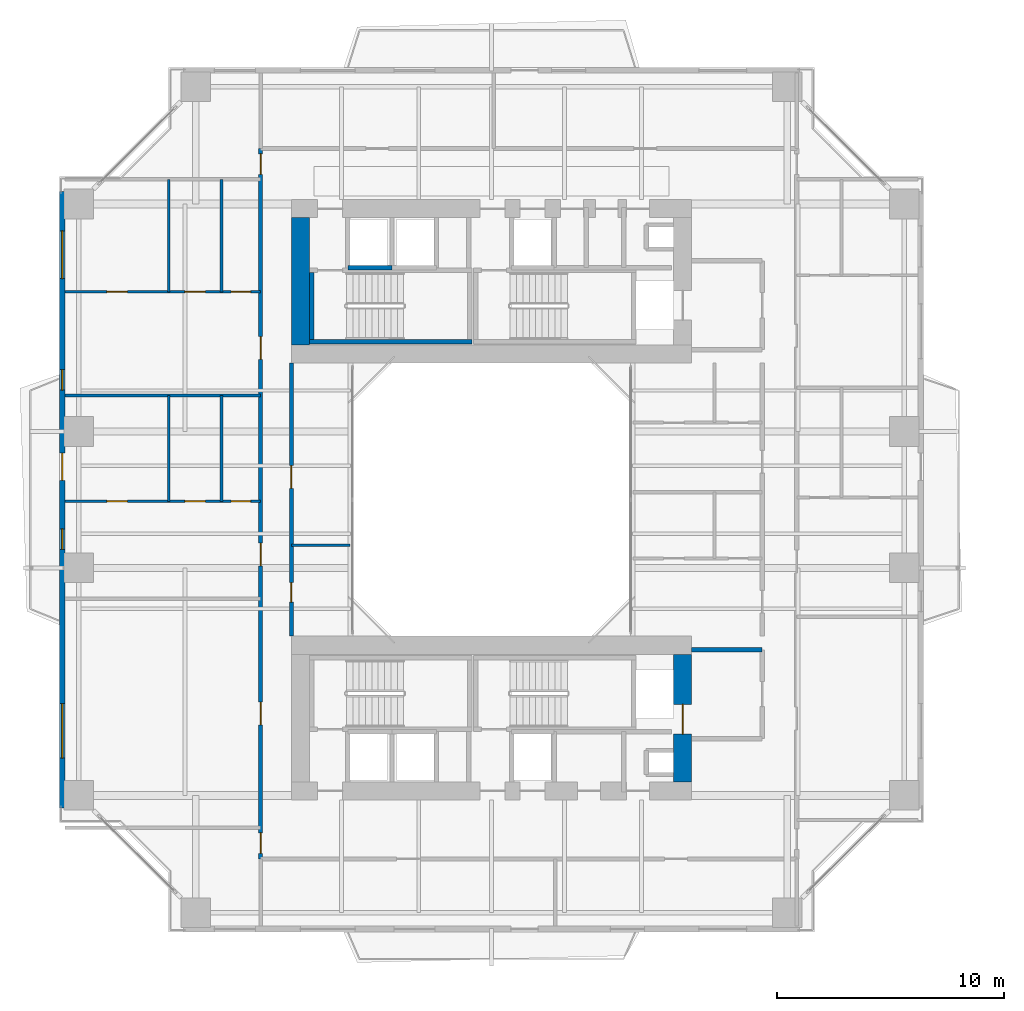
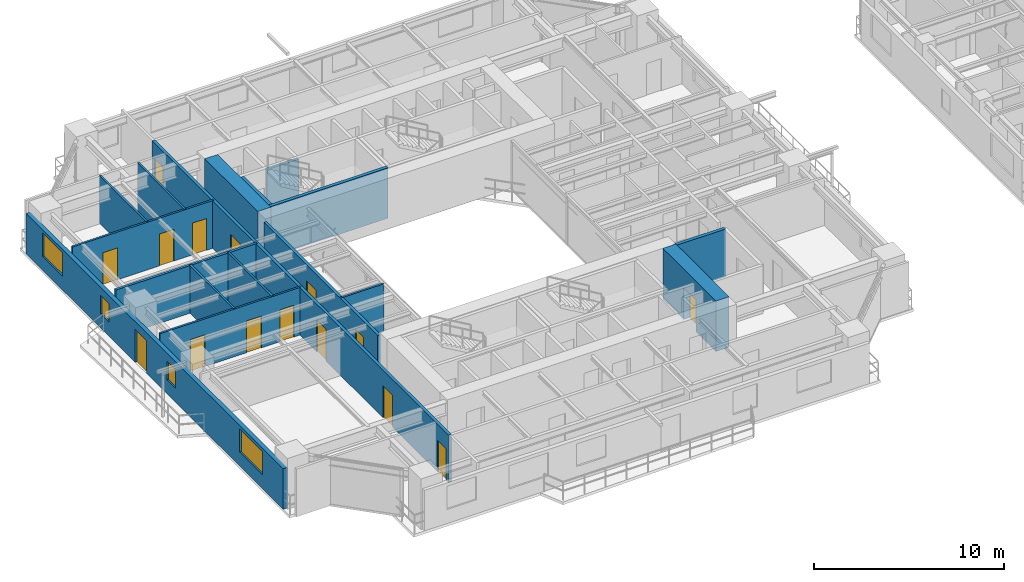
# One storey, part 14 of 23: 17 walls, 15 doors, 4 windows, 19 openings.
"""IFC4 building model written with IfcOpenShell, lengths in metres."""

from ifc_helpers import new_model, si_unit, direction, frame, frame_2d, origin, place, context, subcontext, project, spatial, rectangle, extrude, source, transform, mapped, material, layer, layer_set, type_object, element, fill, save


model = new_model("IFC4")

# Units and contexts
model_context = context("Model", 3, precision=1e-05, world=origin(), true_north=direction((0.0, 1.0)))
body_context = subcontext(model_context, "Body", "Model", "MODEL_VIEW")
ifc_project = project(units=[si_unit("LENGTHUNIT", "METRE"), si_unit("AREAUNIT", "SQUARE_METRE"), si_unit("VOLUMEUNIT", "CUBIC_METRE"), si_unit("PLANEANGLEUNIT", "RADIAN"), si_unit("MASSUNIT", "GRAM", prefix="KILO"), si_unit("THERMODYNAMICTEMPERATUREUNIT", "KELVIN"), si_unit("POWERUNIT", "WATT")], contexts=[model_context])

# Site, building, storey
site_placement = place(None, origin())
site = spatial("IfcSite", under=ifc_project, at=site_placement, CompositionType="ELEMENT")
building_placement = place(site_placement, origin())
building = spatial("IfcBuilding", under=site, at=building_placement, Name="Qiaomeng Ring Towers", CompositionType="ELEMENT")
storey_placement = place(building_placement, frame((0.0, 0.0, 79.5)))
storey = spatial("IfcBuildingStorey", under=building, at=storey_placement, Name="L22", CompositionType="ELEMENT", Elevation=79.5)

# Wall, openings, windows, door
ifc_material_1 = material(Name="Precast concrete C40", Category="concrete")
ifc_layer_1 = layer(ifc_material_1, 0.25, Name="Precast concrete C40")
ifc_layer_set_1 = layer_set([ifc_layer_1], Name="Precast concrete C40")
wall_type_1 = type_object("IfcWallType", Name="ARC-WL-EW1", PredefinedType="STANDARD", material=ifc_layer_set_1)
wall_1_placement = place(storey_placement, frame((0.125, 9.449951171875, 0.0), z_axis=(0.0, 0.0, 1.0), x_axis=(0.0, 1.0, 0.0)))
wall_1 = element("IfcWall", 1, at=wall_1_placement, inside=storey, type_object=wall_type_1, Name="L22 Tower 1 W Exterior Wall", PredefinedType="STANDARD", context=body_context, shape_type="SweptSolid", body=[
    extrude(rectangle(XDim=27.10009765625, YDim=0.25, at=frame_2d((13.550048828125, 0.0))), origin(), (0.0, 0.0, 1.0), 2.610107421875),
])
opening_1_placement = place(wall_1_placement, frame((14.39990234375, 0.0, 0.0)))
opening_1 = element("IfcOpeningElement", 2, at=opening_1_placement, cuts=wall_1, Name="Opening BD1", PredefinedType="OPENING", context=body_context, shape_type="SweptSolid", body=[
    extrude(rectangle(XDim=1.199951171875, YDim=2.10009765625, at=frame_2d((0.60009765625, 1.050048828125))), frame((0.0, 0.135009765625, 0.0), z_axis=(0.0, -1.0, 0.0), x_axis=(1.0, 0.0, 0.0)), (0.0, 0.0, 1.0), 0.27001953125),
])
opening_2_placement = place(wall_1_placement, frame((2.18798828125, 0.0, 0.89990234375)))
opening_2 = element("IfcOpeningElement", 3, at=opening_2_placement, cuts=wall_1, Name="Opening WN6", PredefinedType="OPENING", context=body_context, shape_type="SweptSolid", body=[
    extrude(rectangle(XDim=2.39990234375, YDim=1.47998046875, at=frame_2d((1.199951171875, 0.739990234375))), frame((0.0, 0.135009765625, 0.0), z_axis=(0.0, -1.0, 0.0), x_axis=(1.0, 0.0, 0.0)), (0.0, 0.0, 1.0), 0.27001953125),
])
opening_3_placement = place(wall_1_placement, frame((23.2724609375, 0.0, 0.89990234375)))
opening_3 = element("IfcOpeningElement", 4, at=opening_3_placement, cuts=wall_1, Name="Opening WN4", PredefinedType="OPENING", context=body_context, shape_type="SweptSolid", body=[
    extrude(rectangle(XDim=2.10009765625, YDim=1.5, at=frame_2d((1.050048828125, 0.75))), frame((0.0, 0.135009765625, 0.0), z_axis=(0.0, -1.0, 0.0), x_axis=(1.0, 0.0, 0.0)), (0.0, 0.0, 1.0), 0.27001953125),
])
opening_4_placement = place(wall_1_placement, frame((11.364990234375, 0.0, 0.89990234375)))
opening_4 = element("IfcOpeningElement", 5, at=opening_4_placement, cuts=wall_1, Name="Opening WN5", PredefinedType="OPENING", context=body_context, shape_type="SweptSolid", body=[
    extrude(rectangle(XDim=0.89990234375, YDim=1.199951171875, at=frame_2d((0.449951171875, 0.60009765625))), frame((0.0, 0.135009765625, 0.0), z_axis=(0.0, -1.0, 0.0), x_axis=(1.0, 0.0, 0.0)), (0.0, 0.0, 1.0), 0.27001953125),
])
opening_5_placement = place(wall_1_placement, frame((18.364990234375, 0.0, 0.89990234375)))
opening_5 = element("IfcOpeningElement", 6, at=opening_5_placement, cuts=wall_1, Name="Opening WN5", PredefinedType="OPENING", context=body_context, shape_type="SweptSolid", body=[
    extrude(rectangle(XDim=0.89990234375, YDim=1.199951171875, at=frame_2d((0.449951171875, 0.60009765625))), frame((0.0, 0.135009765625, 0.0), z_axis=(0.0, -1.0, 0.0), x_axis=(1.0, 0.0, 0.0)), (0.0, 0.0, 1.0), 0.27001953125),
])
ifc_material_2 = material(Name="Low-E dark-grey laminated double glazing", Category="glass")
window_type_1 = type_object("IfcWindowType", Name="ARC-WN-4", PartitioningType="TRIPLE_PANEL_VERTICAL", PredefinedType="WINDOW", material=ifc_material_2)
shared_shape_1 = source(origin(), body_context, "Body", "SweptSolid", [
    extrude(rectangle(XDim=2.10009765625, YDim=1.5, at=frame_2d((1.050048828125, 0.75))), frame((0.0, 0.030029296875, 0.0), z_axis=(0.0, -1.0, 0.0), x_axis=(1.0, 0.0, 0.0)), (0.0, 0.0, 1.0), 0.06005859375),
])
window_1_placement = place(opening_3_placement, origin())
window_1 = element("IfcWindow", 7, at=window_1_placement, inside=storey, type_object=window_type_1, Name="L22 Exterior Window WN4", OverallHeight=1.5, OverallWidth=2.10009765625, PartitioningType="TRIPLE_PANEL_VERTICAL", PredefinedType="WINDOW", context=body_context, shape_type="MappedRepresentation", body=[
    mapped(shared_shape_1, transform((0.0, 0.0, 0.0), x_axis=(1.0, 0.0, 0.0), y_axis=(0.0, 1.0, 0.0), z_axis=(0.0, 0.0, 1.0), scale=1.0)),
])
fill(opening_3, window_1)
window_type_2 = type_object("IfcWindowType", Name="ARC-WN-6", PartitioningType="TRIPLE_PANEL_VERTICAL", PredefinedType="WINDOW", material=ifc_material_2)
shared_shape_2 = source(origin(), body_context, "Body", "SweptSolid", [
    extrude(rectangle(XDim=2.39990234375, YDim=1.47998046875, at=frame_2d((1.199951171875, 0.739990234375))), frame((0.0, 0.030029296875, 0.0), z_axis=(0.0, -1.0, 0.0), x_axis=(1.0, 0.0, 0.0)), (0.0, 0.0, 1.0), 0.06005859375),
])
window_2_placement = place(opening_2_placement, origin())
window_2 = element("IfcWindow", 8, at=window_2_placement, inside=storey, type_object=window_type_2, Name="L22 Exterior Window WN6", OverallHeight=1.47998046875, OverallWidth=2.39990234375, PartitioningType="TRIPLE_PANEL_VERTICAL", PredefinedType="WINDOW", context=body_context, shape_type="MappedRepresentation", body=[
    mapped(shared_shape_2, transform((0.0, 0.0, 0.0), x_axis=(1.0, 0.0, 0.0), y_axis=(0.0, 1.0, 0.0), z_axis=(0.0, 0.0, 1.0), scale=1.0)),
])
fill(opening_2, window_2)
door_type_1 = type_object("IfcDoorType", Name="ARC-DR-BD1", OperationType="NOTDEFINED", PredefinedType="DOOR", material=ifc_material_2)
shared_shape_3 = source(origin(), body_context, "Body", "SweptSolid", [
    extrude(rectangle(XDim=1.199951171875, YDim=2.10009765625, at=frame_2d((0.60009765625, 1.050048828125))), frame((0.0, 0.02490234375, 0.0), z_axis=(0.0, -1.0, 0.0), x_axis=(1.0, 0.0, 0.0)), (0.0, 0.0, 1.0), 0.050048828125),
])
door_1_placement = place(opening_1_placement, frame((1.199951171875, 0.0, 0.0), z_axis=(0.0, 0.0, 1.0), x_axis=(-1.0, 0.0, 0.0)))
door_1 = element("IfcDoor", 9, at=door_1_placement, inside=storey, type_object=door_type_1, Name="L22 W Balcony Glazed Door", OperationType="SINGLE_SWING_LEFT", OverallHeight=2.10009765625, OverallWidth=1.199951171875, PredefinedType="DOOR", context=body_context, shape_type="MappedRepresentation", body=[
    mapped(shared_shape_3, transform((0.0, 0.0, 0.0), x_axis=(1.0, 0.0, 0.0), y_axis=(0.0, 1.0, 0.0), z_axis=(0.0, 0.0, 1.0), scale=1.0)),
])
fill(opening_1, door_1)
window_type_3 = type_object("IfcWindowType", Name="ARC-WN-5", PartitioningType="SINGLE_PANEL", PredefinedType="WINDOW", material=ifc_material_2)
shared_shape_4 = source(origin(), body_context, "Body", "SweptSolid", [
    extrude(rectangle(XDim=0.89990234375, YDim=1.199951171875, at=frame_2d((0.449951171875, 0.60009765625))), frame((0.0, 0.030029296875, 0.0), z_axis=(0.0, -1.0, 0.0), x_axis=(1.0, 0.0, 0.0)), (0.0, 0.0, 1.0), 0.06005859375),
])
window_3_placement = place(opening_4_placement, origin())
window_3 = element("IfcWindow", 10, at=window_3_placement, inside=storey, type_object=window_type_3, Name="L22 Exterior Window WN5", OverallHeight=1.199951171875, OverallWidth=0.89990234375, PartitioningType="SINGLE_PANEL", PredefinedType="WINDOW", context=body_context, shape_type="MappedRepresentation", body=[
    mapped(shared_shape_4, transform((0.0, 0.0, 0.0), x_axis=(1.0, 0.0, 0.0), y_axis=(0.0, 1.0, 0.0), z_axis=(0.0, 0.0, 1.0), scale=1.0)),
])
fill(opening_4, window_3)
window_4_placement = place(opening_5_placement, origin())
window_4 = element("IfcWindow", 11, at=window_4_placement, inside=storey, type_object=window_type_3, Name="L22 Exterior Window WN5", OverallHeight=1.199951171875, OverallWidth=0.89990234375, PartitioningType="SINGLE_PANEL", PredefinedType="WINDOW", context=body_context, shape_type="MappedRepresentation", body=[
    mapped(shared_shape_4, transform((0.0, 0.0, 0.0), x_axis=(1.0, 0.0, 0.0), y_axis=(0.0, 1.0, 0.0), z_axis=(0.0, 0.0, 1.0), scale=1.0)),
])
fill(opening_5, window_4)

# Wall
ifc_material_3 = material(Name="Autoclaved aerated concrete block", Category="concrete")
ifc_layer_2 = layer(ifc_material_3, 0.199951171875, Name="Autoclaved aerated concrete block")
ifc_layer_set_2 = layer_set([ifc_layer_2], Name="Autoclaved aerated concrete block")
wall_type_2 = type_object("IfcWallType", Name="ARC-WL-PW1", PredefinedType="PARTITIONING", material=ifc_layer_set_2)
wall_2_placement = place(storey_placement, frame((27.800048828125, 16.39990234375, 0.0), z_axis=(0.0, 0.0, 1.0), x_axis=(1.0, 0.0, 0.0)))
element("IfcWall", 12, at=wall_2_placement, inside=storey, type_object=wall_type_2, Name="L22 Interior Wall PW1", PredefinedType="PARTITIONING", context=body_context, shape_type="SweptSolid", body=[
    extrude(rectangle(XDim=3.099853515625, YDim=0.199951171875, at=frame_2d((1.5498046875, 0.0))), origin(), (0.0, 0.0, 1.0), 3.070068359375),
])

# Wall, openings, doors
ifc_layer_3 = layer(ifc_material_3, 0.179931640625, Name="Autoclaved aerated concrete block")
ifc_layer_set_3 = layer_set([ifc_layer_3], Name="Autoclaved aerated concrete block")
wall_type_3 = type_object("IfcWallType", Name="ARC-WL-PW2", PredefinedType="PARTITIONING", material=ifc_layer_set_3)
wall_3_placement = place(storey_placement, frame((8.85009765625, 7.2099609375, 0.0), z_axis=(0.0, 0.0, 1.0), x_axis=(0.0, 1.0, 0.0)))
wall_3 = element("IfcWall", 13, at=wall_3_placement, inside=storey, type_object=wall_type_3, Name="L22 Interior Wall PW2", PredefinedType="PARTITIONING", context=body_context, shape_type="SweptSolid", body=[
    extrude(rectangle(XDim=31.22998046875, YDim=0.179931640625, at=frame_2d((15.614990234375, 0.0))), origin(), (0.0, 0.0, 1.0), 3.070068359375),
])
opening_6_placement = place(wall_3_placement, frame((30.090087890625, 0.0, 0.0)))
opening_6 = element("IfcOpeningElement", 14, at=opening_6_placement, cuts=wall_3, Name="Opening ID1", PredefinedType="OPENING", context=body_context, shape_type="SweptSolid", body=[
    extrude(rectangle(XDim=0.89990234375, YDim=2.050048828125, at=frame_2d((0.449951171875, 1.02490234375))), frame((0.0, 0.099853515625, 0.0), z_axis=(0.0, -1.0, 0.0), x_axis=(1.0, 0.0, 0.0)), (0.0, 0.0, 1.0), 0.199951171875),
])
opening_7_placement = place(wall_3_placement, frame((0.239990234375, 0.0, 0.0)))
opening_7 = element("IfcOpeningElement", 15, at=opening_7_placement, cuts=wall_3, Name="Opening ID1", PredefinedType="OPENING", context=body_context, shape_type="SweptSolid", body=[
    extrude(rectangle(XDim=0.89990234375, YDim=2.050048828125, at=frame_2d((0.449951171875, 1.02490234375))), frame((0.0, 0.099853515625, 0.0), z_axis=(0.0, -1.0, 0.0), x_axis=(1.0, 0.0, 0.0)), (0.0, 0.0, 1.0), 0.199951171875),
])
opening_8_placement = place(wall_3_placement, frame((5.89501953125, 0.0, 0.0)))
opening_8 = element("IfcOpeningElement", 16, at=opening_8_placement, cuts=wall_3, Name="Opening FD4", PredefinedType="OPENING", context=body_context, shape_type="SweptSolid", body=[
    extrude(rectangle(XDim=1.0, YDim=2.050048828125, at=frame_2d((0.5, 1.02490234375))), frame((0.0, 0.099853515625, 0.0), z_axis=(0.0, -1.0, 0.0), x_axis=(1.0, 0.0, 0.0)), (0.0, 0.0, 1.0), 0.199951171875),
])
opening_9_placement = place(wall_3_placement, frame((12.885009765625, 0.0, 0.0)))
opening_9 = element("IfcOpeningElement", 17, at=opening_9_placement, cuts=wall_3, Name="Opening FD4", PredefinedType="OPENING", context=body_context, shape_type="SweptSolid", body=[
    extrude(rectangle(XDim=1.0, YDim=2.050048828125, at=frame_2d((0.5, 1.02490234375))), frame((0.0, 0.099853515625, 0.0), z_axis=(0.0, -1.0, 0.0), x_axis=(1.0, 0.0, 0.0)), (0.0, 0.0, 1.0), 0.199951171875),
])
opening_10_placement = place(wall_3_placement, frame((21.9599609375, 0.0, 0.0)))
opening_10 = element("IfcOpeningElement", 18, at=opening_10_placement, cuts=wall_3, Name="Opening FD4", PredefinedType="OPENING", context=body_context, shape_type="SweptSolid", body=[
    extrude(rectangle(XDim=1.0, YDim=2.050048828125, at=frame_2d((0.5, 1.02490234375))), frame((0.0, 0.099853515625, 0.0), z_axis=(0.0, -1.0, 0.0), x_axis=(1.0, 0.0, 0.0)), (0.0, 0.0, 1.0), 0.199951171875),
])
ifc_material_4 = material(Name="Engineered fire-rated oak timber", Category="wood")
door_type_2 = type_object("IfcDoorType", Name="ARC-DR-FD4", OperationType="NOTDEFINED", PredefinedType="DOOR", material=ifc_material_4)
shared_shape_5 = source(origin(), body_context, "Body", "SweptSolid", [
    extrude(rectangle(XDim=1.0, YDim=2.050048828125, at=frame_2d((0.5, 1.02490234375))), frame((0.0, 0.02490234375, 0.0), z_axis=(0.0, -1.0, 0.0), x_axis=(1.0, 0.0, 0.0)), (0.0, 0.0, 1.0), 0.050048828125),
])
door_2_placement = place(opening_8_placement, origin())
door_2 = element("IfcDoor", 19, at=door_2_placement, inside=storey, type_object=door_type_2, Name="L22 Door FD4", OperationType="SINGLE_SWING_LEFT", OverallHeight=2.050048828125, OverallWidth=1.0, PredefinedType="DOOR", context=body_context, shape_type="MappedRepresentation", body=[
    mapped(shared_shape_5, transform((0.0, 0.0, 0.0), x_axis=(1.0, 0.0, 0.0), y_axis=(0.0, 1.0, 0.0), z_axis=(0.0, 0.0, 1.0), scale=1.0)),
])
fill(opening_8, door_2)
door_3_placement = place(opening_9_placement, origin())
door_3 = element("IfcDoor", 20, at=door_3_placement, inside=storey, type_object=door_type_2, Name="L22 Door FD4", OperationType="SINGLE_SWING_LEFT", OverallHeight=2.050048828125, OverallWidth=1.0, PredefinedType="DOOR", context=body_context, shape_type="MappedRepresentation", body=[
    mapped(shared_shape_5, transform((0.0, 0.0, 0.0), x_axis=(1.0, 0.0, 0.0), y_axis=(0.0, 1.0, 0.0), z_axis=(0.0, 0.0, 1.0), scale=1.0)),
])
fill(opening_9, door_3)
door_4_placement = place(opening_10_placement, origin())
door_4 = element("IfcDoor", 21, at=door_4_placement, inside=storey, type_object=door_type_2, Name="L22 Door FD4", OperationType="SINGLE_SWING_LEFT", OverallHeight=2.050048828125, OverallWidth=1.0, PredefinedType="DOOR", context=body_context, shape_type="MappedRepresentation", body=[
    mapped(shared_shape_5, transform((0.0, 0.0, 0.0), x_axis=(1.0, 0.0, 0.0), y_axis=(0.0, 1.0, 0.0), z_axis=(0.0, 0.0, 1.0), scale=1.0)),
])
fill(opening_10, door_4)
ifc_material_5 = material(Name="Engineered oak timber", Category="wood")
door_type_3 = type_object("IfcDoorType", Name="ARC-DR-ID1", OperationType="NOTDEFINED", PredefinedType="DOOR", material=ifc_material_5)
shared_shape_6 = source(origin(), body_context, "Body", "SweptSolid", [
    extrude(rectangle(XDim=0.89990234375, YDim=2.050048828125, at=frame_2d((0.449951171875, 1.02490234375))), frame((0.0, 0.02490234375, 0.0), z_axis=(0.0, -1.0, 0.0), x_axis=(1.0, 0.0, 0.0)), (0.0, 0.0, 1.0), 0.050048828125),
])
door_5_placement = place(opening_6_placement, origin())
door_5 = element("IfcDoor", 22, at=door_5_placement, inside=storey, type_object=door_type_3, Name="L22 Door ID1", OperationType="SINGLE_SWING_LEFT", OverallHeight=2.050048828125, OverallWidth=0.89990234375, PredefinedType="DOOR", context=body_context, shape_type="MappedRepresentation", body=[
    mapped(shared_shape_6, transform((0.0, 0.0, 0.0), x_axis=(1.0, 0.0, 0.0), y_axis=(0.0, 1.0, 0.0), z_axis=(0.0, 0.0, 1.0), scale=1.0)),
])
fill(opening_6, door_5)
door_6_placement = place(opening_7_placement, origin())
door_6 = element("IfcDoor", 23, at=door_6_placement, inside=storey, type_object=door_type_3, Name="L22 Door ID1", OperationType="SINGLE_SWING_RIGHT", OverallHeight=2.050048828125, OverallWidth=0.89990234375, PredefinedType="DOOR", context=body_context, shape_type="MappedRepresentation", body=[
    mapped(shared_shape_6, transform((0.0, 0.0, 0.0), x_axis=(1.0, 0.0, 0.0), y_axis=(0.0, 1.0, 0.0), z_axis=(0.0, 0.0, 1.0), scale=1.0)),
])
fill(opening_7, door_6)

wall_4_placement = place(storey_placement, frame((10.199951171875, 17.0, 0.0), z_axis=(0.0, 0.0, 1.0), x_axis=(0.0, 1.0, 0.0)))
wall_4 = element("IfcWall", 24, at=wall_4_placement, inside=storey, type_object=wall_type_3, Name="L22 Interior Wall PW2", PredefinedType="PARTITIONING", context=body_context, shape_type="SweptSolid", body=[
    extrude(rectangle(XDim=12.0, YDim=0.179931640625, at=frame_2d((6.0, 0.0))), origin(), (0.0, 0.0, 1.0), 3.070068359375),
])
opening_11_placement = place(wall_4_placement, frame((1.5, 0.0, 0.0)))
opening_11 = element("IfcOpeningElement", 25, at=opening_11_placement, cuts=wall_4, Name="Opening ID2", PredefinedType="OPENING", context=body_context, shape_type="SweptSolid", body=[
    extrude(rectangle(XDim=0.85009765625, YDim=2.050048828125, at=frame_2d((0.425048828125, 1.02490234375))), frame((0.0, 0.099853515625, 0.0), z_axis=(0.0, -1.0, 0.0), x_axis=(1.0, 0.0, 0.0)), (0.0, 0.0, 1.0), 0.199951171875),
])
opening_12_placement = place(wall_4_placement, frame((6.5, 0.0, 0.0)))
opening_12 = element("IfcOpeningElement", 26, at=opening_12_placement, cuts=wall_4, Name="Opening FD4", PredefinedType="OPENING", context=body_context, shape_type="SweptSolid", body=[
    extrude(rectangle(XDim=1.0, YDim=2.050048828125, at=frame_2d((0.5, 1.02490234375))), frame((0.0, 0.099853515625, 0.0), z_axis=(0.0, -1.0, 0.0), x_axis=(1.0, 0.0, 0.0)), (0.0, 0.0, 1.0), 0.199951171875),
])
door_7_placement = place(opening_12_placement, origin())
door_7 = element("IfcDoor", 27, at=door_7_placement, inside=storey, type_object=door_type_2, Name="L22 Door FD4", OperationType="SINGLE_SWING_LEFT", OverallHeight=2.050048828125, OverallWidth=1.0, PredefinedType="DOOR", context=body_context, shape_type="MappedRepresentation", body=[
    mapped(shared_shape_5, transform((0.0, 0.0, 0.0), x_axis=(1.0, 0.0, 0.0), y_axis=(0.0, 1.0, 0.0), z_axis=(0.0, 0.0, 1.0), scale=1.0)),
])
fill(opening_12, door_7)
ifc_material_6 = material(Name="Moisture-resistant engineered timber", Category="wood")
door_type_4 = type_object("IfcDoorType", Name="ARC-DR-ID2", OperationType="NOTDEFINED", PredefinedType="DOOR", material=ifc_material_6)
shared_shape_7 = source(origin(), body_context, "Body", "SweptSolid", [
    extrude(rectangle(XDim=0.85009765625, YDim=2.050048828125, at=frame_2d((0.425048828125, 1.02490234375))), frame((0.0, 0.02490234375, 0.0), z_axis=(0.0, -1.0, 0.0), x_axis=(1.0, 0.0, 0.0)), (0.0, 0.0, 1.0), 0.050048828125),
])
door_8_placement = place(opening_11_placement, origin())
door_8 = element("IfcDoor", 28, at=door_8_placement, inside=storey, type_object=door_type_4, Name="L22 Door ID2", OperationType="SINGLE_SWING_RIGHT", OverallHeight=2.050048828125, OverallWidth=0.85009765625, PredefinedType="DOOR", context=body_context, shape_type="MappedRepresentation", body=[
    mapped(shared_shape_7, transform((0.0, 0.0, 0.0), x_axis=(1.0, 0.0, 0.0), y_axis=(0.0, 1.0, 0.0), z_axis=(0.0, 0.0, 1.0), scale=1.0)),
])
fill(opening_11, door_8)

# Wall
ifc_material_7 = material(Name="Gypsum fireboard steel-stud partition", Category="steel")
ifc_layer_4 = layer(ifc_material_7, 0.14990234375, Name="Gypsum fireboard steel-stud partition")
ifc_layer_set_4 = layer_set([ifc_layer_4], Name="Gypsum fireboard steel-stud partition")
wall_type_4 = type_object("IfcWallType", Name="ARC-WL-PW3", PredefinedType="PARTITIONING", material=ifc_layer_set_4)
wall_5_placement = place(storey_placement, frame((0.25, 27.580078125, 0.0), z_axis=(0.0, 0.0, 1.0), x_axis=(1.0, 0.0, 0.0)))
element("IfcWall", 29, at=wall_5_placement, inside=storey, type_object=wall_type_4, Name="L22 Interior Wall PW3", PredefinedType="PARTITIONING", context=body_context, shape_type="SweptSolid", body=[
    extrude(rectangle(XDim=8.60009765625, YDim=0.14990234375, at=frame_2d((4.300048828125, 0.0))), origin(), (0.0, 0.0, 1.0), 3.070068359375),
])

# Wall, openings, doors
ifc_material_8 = material(Name="Moisture-resistant gypsum steel-stud partition", Category="steel")
ifc_layer_5 = layer(ifc_material_8, 0.1201171875, Name="Moisture-resistant gypsum steel-stud partition")
ifc_layer_set_5 = layer_set([ifc_layer_5], Name="Moisture-resistant gypsum steel-stud partition")
wall_type_5 = type_object("IfcWallType", Name="ARC-WL-PW4", PredefinedType="PLUMBINGWALL", material=ifc_layer_set_5)
wall_6_placement = place(storey_placement, frame((0.25, 22.929931640625, 0.0), z_axis=(0.0, 0.0, 1.0), x_axis=(1.0, 0.0, 0.0)))
wall_6 = element("IfcWall", 30, at=wall_6_placement, inside=storey, type_object=wall_type_5, Name="L22 Interior Wall PW4", PredefinedType="PLUMBINGWALL", context=body_context, shape_type="SweptSolid", body=[
    extrude(rectangle(XDim=8.60009765625, YDim=0.1201171875, at=frame_2d((4.300048828125, 0.0))), origin(), (0.0, 0.0, 1.0), 3.070068359375),
])
opening_13_placement = place(wall_6_placement, frame((1.840087890625, 0.0, 0.0)))
opening_13 = element("IfcOpeningElement", 31, at=opening_13_placement, cuts=wall_6, Name="Opening ID1", PredefinedType="OPENING", context=body_context, shape_type="SweptSolid", body=[
    extrude(rectangle(XDim=0.89990234375, YDim=2.050048828125, at=frame_2d((0.449951171875, 1.02490234375))), frame((0.0, 0.070068359375, 0.0), z_axis=(0.0, -1.0, 0.0), x_axis=(1.0, 0.0, 0.0)), (0.0, 0.0, 1.0), 0.14013671875),
])
opening_14_placement = place(wall_6_placement, frame((5.27001953125, 0.0, 0.0)))
opening_14 = element("IfcOpeningElement", 32, at=opening_14_placement, cuts=wall_6, Name="Opening ID1", PredefinedType="OPENING", context=body_context, shape_type="SweptSolid", body=[
    extrude(rectangle(XDim=0.89990234375, YDim=2.050048828125, at=frame_2d((0.449951171875, 1.02490234375))), frame((0.0, 0.070068359375, 0.0), z_axis=(0.0, -1.0, 0.0), x_axis=(1.0, 0.0, 0.0)), (0.0, 0.0, 1.0), 0.14013671875),
])
opening_15_placement = place(wall_6_placement, frame((7.304931640625, 0.0, 0.0)))
opening_15 = element("IfcOpeningElement", 33, at=opening_15_placement, cuts=wall_6, Name="Opening ID2", PredefinedType="OPENING", context=body_context, shape_type="SweptSolid", body=[
    extrude(rectangle(XDim=0.85009765625, YDim=2.050048828125, at=frame_2d((0.425048828125, 1.02490234375))), frame((0.0, 0.070068359375, 0.0), z_axis=(0.0, -1.0, 0.0), x_axis=(1.0, 0.0, 0.0)), (0.0, 0.0, 1.0), 0.14013671875),
])
door_9_placement = place(opening_15_placement, origin())
door_9 = element("IfcDoor", 34, at=door_9_placement, inside=storey, type_object=door_type_4, Name="L22 Door ID2", OperationType="SINGLE_SWING_RIGHT", OverallHeight=2.050048828125, OverallWidth=0.85009765625, PredefinedType="DOOR", context=body_context, shape_type="MappedRepresentation", body=[
    mapped(shared_shape_7, transform((0.0, 0.0, 0.0), x_axis=(1.0, 0.0, 0.0), y_axis=(0.0, 1.0, 0.0), z_axis=(0.0, 0.0, 1.0), scale=1.0)),
])
fill(opening_15, door_9)
door_10_placement = place(opening_13_placement, origin())
door_10 = element("IfcDoor", 35, at=door_10_placement, inside=storey, type_object=door_type_3, Name="L22 Door ID1", OperationType="SINGLE_SWING_RIGHT", OverallHeight=2.050048828125, OverallWidth=0.89990234375, PredefinedType="DOOR", context=body_context, shape_type="MappedRepresentation", body=[
    mapped(shared_shape_6, transform((0.0, 0.0, 0.0), x_axis=(1.0, 0.0, 0.0), y_axis=(0.0, 1.0, 0.0), z_axis=(0.0, 0.0, 1.0), scale=1.0)),
])
fill(opening_13, door_10)
door_11_placement = place(opening_14_placement, origin())
door_11 = element("IfcDoor", 36, at=door_11_placement, inside=storey, type_object=door_type_3, Name="L22 Door ID1", OperationType="SINGLE_SWING_LEFT", OverallHeight=2.050048828125, OverallWidth=0.89990234375, PredefinedType="DOOR", context=body_context, shape_type="MappedRepresentation", body=[
    mapped(shared_shape_6, transform((0.0, 0.0, 0.0), x_axis=(1.0, 0.0, 0.0), y_axis=(0.0, 1.0, 0.0), z_axis=(0.0, 0.0, 1.0), scale=1.0)),
])
fill(opening_14, door_11)

# Walls
for number, where, z_axis, x_axis, name in (
    (37, (4.81005859375, 22.929931640625, 0.0), (0.0, 0.0, 1.0), (0.0, 1.0, 0.0), "L22 Interior Wall PW4"),
    (38, (7.1298828125, 22.929931640625, 0.0), (0.0, 0.0, 1.0), (0.0, 1.0, 0.0), "L22 Interior Wall PW4"),
):
    element("IfcWall", number, at=place(storey_placement, frame(where, z_axis=z_axis, x_axis=x_axis)), inside=storey, type_object=wall_type_5, Name=name, PredefinedType="PLUMBINGWALL", context=body_context, shape_type="SweptSolid", body=[
        extrude(rectangle(XDim=4.650146484375, YDim=0.1201171875, at=frame_2d((2.3251953125, 0.0))), origin(), (0.0, 0.0, 1.0), 3.070068359375),
    ])

# Wall, openings, doors
wall_7_placement = place(storey_placement, frame((0.25, 32.139892578125, 0.0), z_axis=(0.0, 0.0, 1.0), x_axis=(1.0, 0.0, 0.0)))
wall_7 = element("IfcWall", 39, at=wall_7_placement, inside=storey, type_object=wall_type_5, Name="L22 Interior Wall PW4", PredefinedType="PLUMBINGWALL", context=body_context, shape_type="SweptSolid", body=[
    extrude(rectangle(XDim=8.60009765625, YDim=0.1201171875, at=frame_2d((4.300048828125, 0.0))), origin(), (0.0, 0.0, 1.0), 3.070068359375),
])
opening_16_placement = place(wall_7_placement, frame((1.840087890625, 0.0, 0.0)))
opening_16 = element("IfcOpeningElement", 40, at=opening_16_placement, cuts=wall_7, Name="Opening ID1", PredefinedType="OPENING", context=body_context, shape_type="SweptSolid", body=[
    extrude(rectangle(XDim=0.89990234375, YDim=2.050048828125, at=frame_2d((0.449951171875, 1.02490234375))), frame((0.0, 0.070068359375, 0.0), z_axis=(0.0, -1.0, 0.0), x_axis=(1.0, 0.0, 0.0)), (0.0, 0.0, 1.0), 0.14013671875),
])
opening_17_placement = place(wall_7_placement, frame((5.27001953125, 0.0, 0.0)))
opening_17 = element("IfcOpeningElement", 41, at=opening_17_placement, cuts=wall_7, Name="Opening ID1", PredefinedType="OPENING", context=body_context, shape_type="SweptSolid", body=[
    extrude(rectangle(XDim=0.89990234375, YDim=2.050048828125, at=frame_2d((0.449951171875, 1.02490234375))), frame((0.0, 0.070068359375, 0.0), z_axis=(0.0, -1.0, 0.0), x_axis=(1.0, 0.0, 0.0)), (0.0, 0.0, 1.0), 0.14013671875),
])
opening_18_placement = place(wall_7_placement, frame((7.304931640625, 0.0, 0.0)))
opening_18 = element("IfcOpeningElement", 42, at=opening_18_placement, cuts=wall_7, Name="Opening ID2", PredefinedType="OPENING", context=body_context, shape_type="SweptSolid", body=[
    extrude(rectangle(XDim=0.85009765625, YDim=2.050048828125, at=frame_2d((0.425048828125, 1.02490234375))), frame((0.0, 0.070068359375, 0.0), z_axis=(0.0, -1.0, 0.0), x_axis=(1.0, 0.0, 0.0)), (0.0, 0.0, 1.0), 0.14013671875),
])
door_12_placement = place(opening_18_placement, origin())
door_12 = element("IfcDoor", 43, at=door_12_placement, inside=storey, type_object=door_type_4, Name="L22 Door ID2", OperationType="SINGLE_SWING_RIGHT", OverallHeight=2.050048828125, OverallWidth=0.85009765625, PredefinedType="DOOR", context=body_context, shape_type="MappedRepresentation", body=[
    mapped(shared_shape_7, transform((0.0, 0.0, 0.0), x_axis=(1.0, 0.0, 0.0), y_axis=(0.0, 1.0, 0.0), z_axis=(0.0, 0.0, 1.0), scale=1.0)),
])
fill(opening_18, door_12)
door_13_placement = place(opening_16_placement, origin())
door_13 = element("IfcDoor", 44, at=door_13_placement, inside=storey, type_object=door_type_3, Name="L22 Door ID1", OperationType="SINGLE_SWING_RIGHT", OverallHeight=2.050048828125, OverallWidth=0.89990234375, PredefinedType="DOOR", context=body_context, shape_type="MappedRepresentation", body=[
    mapped(shared_shape_6, transform((0.0, 0.0, 0.0), x_axis=(1.0, 0.0, 0.0), y_axis=(0.0, 1.0, 0.0), z_axis=(0.0, 0.0, 1.0), scale=1.0)),
])
fill(opening_16, door_13)
door_14_placement = place(opening_17_placement, origin())
door_14 = element("IfcDoor", 45, at=door_14_placement, inside=storey, type_object=door_type_3, Name="L22 Door ID1", OperationType="SINGLE_SWING_LEFT", OverallHeight=2.050048828125, OverallWidth=0.89990234375, PredefinedType="DOOR", context=body_context, shape_type="MappedRepresentation", body=[
    mapped(shared_shape_6, transform((0.0, 0.0, 0.0), x_axis=(1.0, 0.0, 0.0), y_axis=(0.0, 1.0, 0.0), z_axis=(0.0, 0.0, 1.0), scale=1.0)),
])
fill(opening_17, door_14)

# Walls
for number, where, z_axis, x_axis, name in (
    (46, (4.81005859375, 32.139892578125, 0.0), (0.0, 0.0, 1.0), (0.0, 1.0, 0.0), "L22 Interior Wall PW4"),
    (47, (7.1298828125, 32.139892578125, 0.0), (0.0, 0.0, 1.0), (0.0, 1.0, 0.0), "L22 Interior Wall PW4"),
):
    element("IfcWall", number, at=place(storey_placement, frame(where, z_axis=z_axis, x_axis=x_axis)), inside=storey, type_object=wall_type_5, Name=name, PredefinedType="PLUMBINGWALL", context=body_context, shape_type="SweptSolid", body=[
        extrude(rectangle(XDim=4.940185546875, YDim=0.1201171875, at=frame_2d((2.47021484375, 0.0))), origin(), (0.0, 0.0, 1.0), 3.070068359375),
    ])
wall_8_placement = place(storey_placement, frame((10.199951171875, 21.0, 0.0), z_axis=(0.0, 0.0, 1.0), x_axis=(1.0, 0.0, 0.0)))
element("IfcWall", 48, at=wall_8_placement, inside=storey, type_object=wall_type_5, Name="L22 Interior Wall PW4", PredefinedType="PLUMBINGWALL", context=body_context, shape_type="SweptSolid", body=[
    extrude(rectangle(XDim=2.580078125, YDim=0.1201171875, at=frame_2d((1.2900390625, 0.0))), origin(), (0.0, 0.0, 1.0), 3.070068359375),
])
ifc_material_9 = material(Name="Concrete C40", Category="concrete")
ifc_layer_6 = layer(ifc_material_9, 0.199951171875, Name="Concrete C40")
ifc_layer_set_6 = layer_set([ifc_layer_6], Name="Concrete C40")
wall_type_6 = type_object("IfcWallType", Name="STR-WL-STSHAFT", PredefinedType="SHEAR", material=ifc_layer_set_6)
wall_9_placement = place(storey_placement, frame((12.679931640625, 33.199951171875, 0.0), z_axis=(0.0, 0.0, 1.0), x_axis=(1.0, 0.0, 0.0)))
element("IfcWall", 49, at=wall_9_placement, inside=storey, type_object=wall_type_6, Name="L22 Lift LP5 Shaft Back Wall", PredefinedType="SHEAR", context=body_context, shape_type="SweptSolid", body=[
    extrude(rectangle(XDim=1.940185546875, YDim=0.179931640625, at=frame_2d((0.97021484375, 0.0))), origin(), (0.0, 0.0, 1.0), 3.070068359375),
])
wall_10_placement = place(storey_placement, frame((11.0, 29.949951171875, 0.0), z_axis=(0.0, 0.0, 1.0), x_axis=(1.0, 0.0, 0.0)))
element("IfcWall", 50, at=wall_10_placement, inside=storey, type_object=wall_type_6, Name="L22 Stair ST1 South Shaft Shear Wall", PredefinedType="SHEAR", context=body_context, shape_type="SweptSolid", body=[
    extrude(rectangle(XDim=7.14990234375, YDim=0.199951171875, at=frame_2d((3.574951171875, 0.0))), origin(), (0.0, 0.0, 1.0), 3.25),
])
wall_11_placement = place(storey_placement, frame((11.10009765625, 30.050048828125, 0.0), z_axis=(0.0, 0.0, 1.0), x_axis=(0.0, 1.0, 0.0)))
element("IfcWall", 51, at=wall_11_placement, inside=storey, type_object=wall_type_6, Name="L22 Stair ST1 West Shaft Shear Wall", PredefinedType="SHEAR", context=body_context, shape_type="SweptSolid", body=[
    extrude(rectangle(XDim=2.93994140625, YDim=0.199951171875, at=frame_2d((1.469970703125, 0.0))), origin(), (0.0, 0.0, 1.0), 3.25),
])
ifc_material_10 = material(Name="Concrete C60", Category="concrete")
ifc_layer_7 = layer(ifc_material_10, 0.800048828125, Name="Concrete C60")
ifc_layer_set_7 = layer_set([ifc_layer_7], Name="Concrete C60")
wall_type_7 = type_object("IfcWallType", Name="STR-WL-SW1", PredefinedType="SHEAR", material=ifc_layer_set_7)
wall_12_placement = place(storey_placement, frame((10.60009765625, 29.800048828125, 0.0), z_axis=(0.0, 0.0, 1.0), x_axis=(0.0, 1.0, 0.0)))
element("IfcWall", 52, at=wall_12_placement, inside=storey, type_object=wall_type_7, Name="L22 T1NC west core shear wall", PredefinedType="SHEAR", context=body_context, shape_type="SweptSolid", body=[
    extrude(rectangle(XDim=5.599853515625, YDim=0.800048828125, at=frame_2d((2.7998046875, 0.0))), origin(), (0.0, 0.0, 1.0), 3.25),
])

# Wall, opening, door
wall_13_placement = place(storey_placement, frame((27.39990234375, 10.60009765625, 0.0), z_axis=(0.0, 0.0, 1.0), x_axis=(0.0, 1.0, 0.0)))
wall_13 = element("IfcWall", 53, at=wall_13_placement, inside=storey, type_object=wall_type_7, Name="L22 T1SC east core shear wall", PredefinedType="SHEAR", context=body_context, shape_type="SweptSolid", body=[
    extrude(rectangle(XDim=5.599853515625, YDim=0.800048828125, at=frame_2d((2.7998046875, 0.0))), origin(), (0.0, 0.0, 1.0), 3.25),
])
opening_19_placement = place(wall_13_placement, frame((2.10009765625, 0.0, 0.0)))
opening_19 = element("IfcOpeningElement", 54, at=opening_19_placement, cuts=wall_13, Name="Opening LD2", PredefinedType="OPENING", context=body_context, shape_type="SweptSolid", body=[
    extrude(rectangle(XDim=1.300048828125, YDim=2.050048828125, at=frame_2d((0.64990234375, 1.02490234375))), frame((0.0, 0.409912109375, 0.0), z_axis=(0.0, -1.0, 0.0), x_axis=(1.0, 0.0, 0.0)), (0.0, 0.0, 1.0), 0.820068359375),
])
ifc_material_11 = material(Name="Stainless steel 316", Category="steel")
door_type_5 = type_object("IfcDoorType", Name="ARC-DR-LD2", OperationType="NOTDEFINED", PredefinedType="DOOR", material=ifc_material_11)
shared_shape_8 = source(origin(), body_context, "Body", "SweptSolid", [
    extrude(rectangle(XDim=1.300048828125, YDim=2.050048828125, at=frame_2d((0.64990234375, 1.02490234375))), frame((0.0, 0.02490234375, 0.0), z_axis=(0.0, -1.0, 0.0), x_axis=(1.0, 0.0, 0.0)), (0.0, 0.0, 1.0), 0.050048828125),
])
door_15_placement = place(opening_19_placement, origin())
door_15 = element("IfcDoor", 55, at=door_15_placement, inside=storey, type_object=door_type_5, Name="L22 Firefighting Lift FL2 Landing Door", OperationType="SLIDING_TO_RIGHT", OverallHeight=2.050048828125, OverallWidth=1.300048828125, PredefinedType="DOOR", context=body_context, shape_type="MappedRepresentation", body=[
    mapped(shared_shape_8, transform((0.0, 0.0, 0.0), x_axis=(1.0, 0.0, 0.0), y_axis=(0.0, 1.0, 0.0), z_axis=(0.0, 0.0, 1.0), scale=1.0)),
])
fill(opening_19, door_15)

save(model, "model.ifc")
